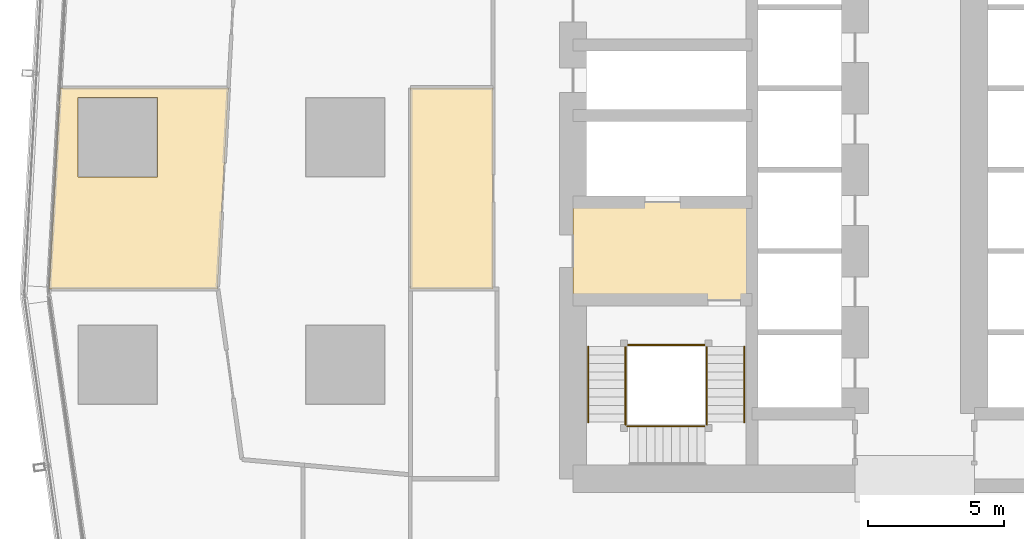
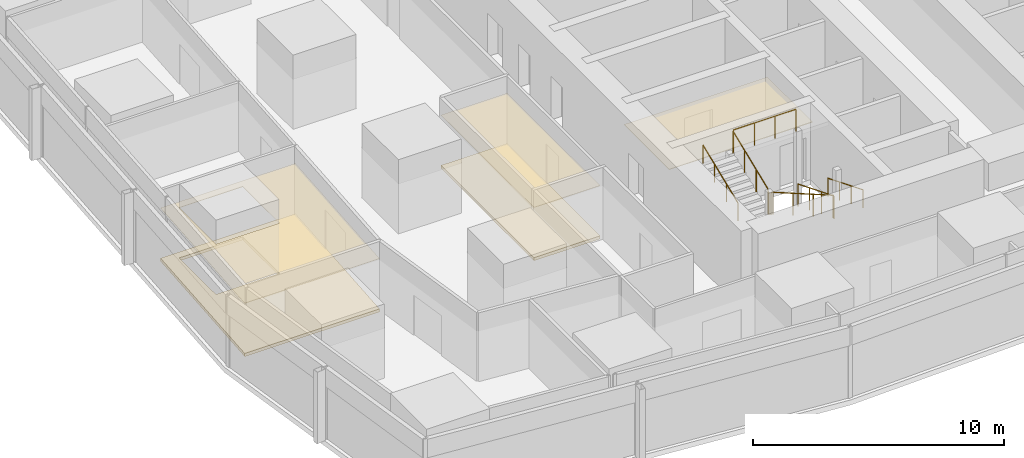
# One storey, part 34 of 40: 9 railings, 5 coverings.
"""IFC4 building model written with IfcOpenShell, lengths in metres."""

from ifc_helpers import new_model, si_unit, direction, frame, origin, origin_2d, place, context, subcontext, project, spatial, polyline, circle, outline, extrude, material, layer, layer_set, type_object, element, save


model = new_model("IFC4")

# Units and contexts
model_context = context("Model", 3, precision=1e-05, world=origin(), true_north=direction((0.0, 1.0)))
body_context = subcontext(model_context, "Body", "Model", "MODEL_VIEW")
ifc_project = project(units=[si_unit("LENGTHUNIT", "METRE"), si_unit("AREAUNIT", "SQUARE_METRE"), si_unit("VOLUMEUNIT", "CUBIC_METRE"), si_unit("PLANEANGLEUNIT", "RADIAN"), si_unit("MASSUNIT", "GRAM", prefix="KILO")], contexts=[model_context])

# Site, building, storey
site_placement = place(None, origin())
site = spatial("IfcSite", under=ifc_project, at=site_placement, CompositionType="ELEMENT")
building_placement = place(site_placement, origin())
building = spatial("IfcBuilding", under=site, at=building_placement, Name="Rekha Terrace Tower", CompositionType="ELEMENT")
storey_placement = place(building_placement, frame((0.0, 0.0, 95.300048828125)))
storey = spatial("IfcBuildingStorey", under=building, at=storey_placement, Name="L23", CompositionType="ELEMENT", Elevation=95.300048828125)

# Coverings
ifc_material_1 = material(Name="Mineral fibre tile in exposed grid", Category="finish")
ifc_layer_1 = layer(ifc_material_1, 0.02001953125)
ifc_layer_set_1 = layer_set([ifc_layer_1], Name="Mineral fibre tile in exposed grid")
covering_type_1 = type_object("IfcCoveringType", Name="CL1 600x1200 office grid ceiling", PredefinedType="CEILING", material=ifc_layer_set_1)
covering_1_placement = place(storey_placement, frame((0.0, 0.0, 2.579833984375)))
element("IfcCovering", 1, at=covering_1_placement, inside=storey, type_object=covering_type_1, Name="Ceiling L23-18", PredefinedType="CEILING", context=body_context, shape_type="SweptSolid", body=[
    extrude(outline(polyline([(5.8740234375, 28.0), (12.083984375, 28.0), (12.489990234375, 35.4189453125), (6.281005859375, 35.4189453125), (5.8740234375, 28.0)]), holes=[polyline([(9.864990234375, 32.135009765625), (6.93505859375, 32.135009765625), (6.93505859375, 35.06494140625), (9.864990234375, 35.06494140625), (9.864990234375, 32.135009765625)])]), origin(), (0.0, 0.0, 1.0), 0.02001953125),
])
covering_2_placement = place(storey_placement, frame((0.0, 0.0, 2.579833984375)))
element("IfcCovering", 2, at=covering_2_placement, inside=storey, type_object=covering_type_1, Name="Ceiling L23-23", PredefinedType="CEILING", context=body_context, shape_type="SweptSolid", body=[
    extrude(outline(polyline([(19.199951171875, 35.4208984375), (19.199951171875, 28.0), (22.25, 28.0), (22.25, 35.4208984375), (19.199951171875, 35.4208984375)])), origin(), (0.0, 0.0, 1.0), 0.02001953125),
])
ifc_material_2 = material(Name="Powder-coated aluminium pan", Category="aluminium")
ifc_layer_2 = layer(ifc_material_2, 0.030029296875)
ifc_layer_set_2 = layer_set([ifc_layer_2], Name="Powder-coated aluminium pan")
covering_type_2 = type_object("IfcCoveringType", Name="CL3 300x1200 metal pan ceiling", PredefinedType="CEILING", material=ifc_layer_set_2)
covering_3_placement = place(storey_placement, frame((0.0, 0.0, 2.570068359375)))
element("IfcCovering", 3, at=covering_3_placement, inside=storey, type_object=covering_type_2, Name="Ceiling L23-FLB1", PredefinedType="CEILING", context=body_context, shape_type="SweptSolid", body=[
    extrude(outline(polyline([(31.800048828125, 31.199951171875), (25.199951171875, 31.199951171875), (25.199951171875, 27.60009765625), (31.800048828125, 27.60009765625), (31.800048828125, 31.199951171875)])), origin(), (0.0, 0.0, 1.0), 0.02978515625),
])

# Railings
ifc_material_3 = material(Name="Stainless steel balustrade", Category="steel")
railing_type_1 = type_object("IfcRailingType", Name="GR1 1100 stair guard", PredefinedType="GUARDRAIL", material=ifc_material_3)
railing_1_placement = place(storey_placement, frame((30.135009765625, 25.875, 0.125)))
element("IfcRailing", 4, at=railing_1_placement, inside=storey, type_object=railing_type_1, Name="Guard ST1 L23 flight 1", PredefinedType="GUARDRAIL", context=body_context, shape_type="SweptSolid", body=[
    extrude(circle(Radius=0.02392578125, at=origin_2d()), frame((0.0, 0.0, 1.076171875), z_axis=(0.0, -0.927443287984, 0.373963831907), x_axis=(1.0, 0.0, 0.0)), (0.0, 0.0, 1.0), 3.00830078125),
    extrude(circle(Radius=0.02099609375, at=origin_2d()), origin(), (0.0, 0.0, 1.0), 1.052001953125),
    extrude(circle(Radius=0.02099609375, at=origin_2d()), frame((0.0, -0.929931640625, 0.375)), (0.0, 0.0, 1.0), 1.052001953125),
    extrude(circle(Radius=0.02099609375, at=origin_2d()), frame((0.0, -1.860107421875, 0.75)), (0.0, 0.0, 1.0), 1.052001953125),
    extrude(circle(Radius=0.02099609375, at=origin_2d()), frame((0.0, -2.7900390625, 1.125)), (0.0, 0.0, 1.0), 1.052001953125),
])
railing_2_placement = place(storey_placement, frame((30.074951171875, 22.93994140625, 1.375)))
element("IfcRailing", 5, at=railing_2_placement, inside=storey, type_object=railing_type_1, Name="Guard ST1 L23 flight 2", PredefinedType="GUARDRAIL", context=body_context, shape_type="SweptSolid", body=[
    extrude(circle(Radius=0.02392578125, at=origin_2d()), frame((0.0, 0.0, 1.076171875), z_axis=(-0.927443287984, 0.0, 0.373963831907), x_axis=(0.0, -1.0, 0.0)), (0.0, 0.0, 1.0), 3.00830078125),
    extrude(circle(Radius=0.02099609375, at=origin_2d()), origin(), (0.0, 0.0, 1.0), 1.052001953125),
    extrude(circle(Radius=0.02099609375, at=origin_2d()), frame((-0.929931640625, 0.0, 0.375)), (0.0, 0.0, 1.0), 1.052001953125),
    extrude(circle(Radius=0.02099609375, at=origin_2d()), frame((-1.860107421875, 0.0, 0.75)), (0.0, 0.0, 1.0), 1.052001953125),
    extrude(circle(Radius=0.02099609375, at=origin_2d()), frame((-2.7900390625, 0.0, 1.125)), (0.0, 0.0, 1.0), 1.052001953125),
])
railing_3_placement = place(storey_placement, frame((27.139892578125, 23.0849609375, 2.625)))
element("IfcRailing", 6, at=railing_3_placement, inside=storey, type_object=railing_type_1, Name="Guard ST1 L23 flight 3", PredefinedType="GUARDRAIL", context=body_context, shape_type="SweptSolid", body=[
    extrude(circle(Radius=0.02392578125, at=origin_2d()), frame((0.0, 0.0, 1.076171875), z_axis=(0.0, 0.927443287984, 0.373963831907), x_axis=(-1.0, 0.0, 0.0)), (0.0, 0.0, 1.0), 3.00830078125),
    extrude(circle(Radius=0.02099609375, at=origin_2d()), origin(), (0.0, 0.0, 1.0), 1.052001953125),
    extrude(circle(Radius=0.02099609375, at=origin_2d()), frame((0.0, 0.929931640625, 0.375)), (0.0, 0.0, 1.0), 1.052001953125),
    extrude(circle(Radius=0.02099609375, at=origin_2d()), frame((0.0, 1.860107421875, 0.75)), (0.0, 0.0, 1.0), 1.052001953125),
    extrude(circle(Radius=0.02099609375, at=origin_2d()), frame((0.0, 2.7900390625, 1.125)), (0.0, 0.0, 1.0), 1.052001953125),
])
railing_4_placement = place(storey_placement, frame((30.135009765625, 23.0849609375, 1.25)))
element("IfcRailing", 7, at=railing_4_placement, inside=storey, type_object=railing_type_1, Name="Guard ST1 L23 landing 1", PredefinedType="GUARDRAIL", context=body_context, shape_type="SweptSolid", body=[
    extrude(circle(Radius=0.02392578125, at=origin_2d()), frame((0.0, 0.0, 1.076171875), z_axis=(0.0, -1.0, 0.0), x_axis=(1.0, 0.0, 0.0)), (0.0, 0.0, 1.0), 0.0849609375),
    extrude(circle(Radius=0.02099609375, at=origin_2d()), origin(), (0.0, 0.0, 1.0), 1.052001953125),
    extrude(circle(Radius=0.02099609375, at=origin_2d()), frame((0.0, -0.0849609375, 0.0)), (0.0, 0.0, 1.0), 1.052001953125),
])
railing_5_placement = place(storey_placement, frame((27.284912109375, 22.93994140625, 2.5)))
element("IfcRailing", 8, at=railing_5_placement, inside=storey, type_object=railing_type_1, Name="Guard ST1 L23 landing 2", PredefinedType="GUARDRAIL", context=body_context, shape_type="SweptSolid", body=[
    extrude(circle(Radius=0.02392578125, at=origin_2d()), frame((0.0, 0.0, 1.076171875), z_axis=(-1.0, 0.0, 0.0), x_axis=(0.0, -1.0, 0.0)), (0.0, 0.0, 1.0), 0.0849609375),
    extrude(circle(Radius=0.02099609375, at=origin_2d()), origin(), (0.0, 0.0, 1.0), 1.052001953125),
    extrude(circle(Radius=0.02099609375, at=origin_2d()), frame((-0.0849609375, 0.0, 0.0)), (0.0, 0.0, 1.0), 1.052001953125),
])
railing_6_placement = place(storey_placement, frame((27.139892578125, 23.0849609375, 2.5)))
element("IfcRailing", 9, at=railing_6_placement, inside=storey, type_object=railing_type_1, Name="Guard ST1 L23 landing 3", PredefinedType="GUARDRAIL", context=body_context, shape_type="SweptSolid", body=[
    extrude(circle(Radius=0.02392578125, at=origin_2d()), frame((0.0, 0.0, 1.076171875), z_axis=(0.0, -1.0, 0.0), x_axis=(1.0, 0.0, 0.0)), (0.0, 0.0, 1.0), 0.0849609375),
    extrude(circle(Radius=0.02099609375, at=origin_2d()), origin(), (0.0, 0.0, 1.0), 1.052001953125),
    extrude(circle(Radius=0.02099609375, at=origin_2d()), frame((0.0, -0.0849609375, 0.0)), (0.0, 0.0, 1.0), 1.052001953125),
])
railing_7_placement = place(storey_placement, frame((30.074951171875, 25.93505859375, 3.75)))
element("IfcRailing", 10, at=railing_7_placement, inside=storey, type_object=railing_type_1, Name="Guard ST1 L23 landing 4", PredefinedType="GUARDRAIL", context=body_context, shape_type="SweptSolid", body=[
    extrude(circle(Radius=0.02392578125, at=origin_2d()), frame((0.0, 0.0, 1.076171875), z_axis=(-1.0, 0.0, 0.0), x_axis=(0.0, -1.0, 0.0)), (0.0, 0.0, 1.0), 2.875),
    extrude(circle(Radius=0.02099609375, at=origin_2d()), origin(), (0.0, 0.0, 1.0), 1.052001953125),
    extrude(circle(Radius=0.02099609375, at=origin_2d()), frame((-0.958251953125, 0.0, 0.0)), (0.0, 0.0, 1.0), 1.052001953125),
    extrude(circle(Radius=0.02099609375, at=origin_2d()), frame((-1.916748046875, 0.0, 0.0)), (0.0, 0.0, 1.0), 1.052001953125),
    extrude(circle(Radius=0.02099609375, at=origin_2d()), frame((-2.875, 0.0, 0.0)), (0.0, 0.0, 1.0), 1.052001953125),
])
ifc_material_4 = material(Name="Stainless steel tube", Category="steel")
railing_type_2 = type_object("IfcRailingType", Name="HR1 900 stair handrail", PredefinedType="HANDRAIL", material=ifc_material_4)
railing_8_placement = place(storey_placement, frame((31.514892578125, 25.875, 0.125)))
element("IfcRailing", 11, at=railing_8_placement, inside=storey, type_object=railing_type_2, Name="Handrail ST1 L23 flight 1", PredefinedType="HANDRAIL", context=body_context, shape_type="SweptSolid", body=[
    extrude(circle(Radius=0.02392578125, at=origin_2d()), frame((0.0, 0.0, 0.8759765625), z_axis=(0.0, -0.927443287984, 0.373963831907), x_axis=(1.0, 0.0, 0.0)), (0.0, 0.0, 1.0), 3.00830078125),
    extrude(circle(Radius=0.02099609375, at=origin_2d()), origin(), (0.0, 0.0, 1.0), 0.851806640625),
    extrude(circle(Radius=0.02099609375, at=origin_2d()), frame((0.0, -0.929931640625, 0.375)), (0.0, 0.0, 1.0), 0.851806640625),
    extrude(circle(Radius=0.02099609375, at=origin_2d()), frame((0.0, -1.860107421875, 0.75)), (0.0, 0.0, 1.0), 0.851806640625),
    extrude(circle(Radius=0.02099609375, at=origin_2d()), frame((0.0, -2.7900390625, 1.125)), (0.0, 0.0, 1.0), 0.851806640625),
])
railing_9_placement = place(storey_placement, frame((25.760009765625, 23.0849609375, 2.625)))
element("IfcRailing", 12, at=railing_9_placement, inside=storey, type_object=railing_type_2, Name="Handrail ST1 L23 flight 3", PredefinedType="HANDRAIL", context=body_context, shape_type="SweptSolid", body=[
    extrude(circle(Radius=0.02392578125, at=origin_2d()), frame((0.0, 0.0, 0.8759765625), z_axis=(0.0, 0.927443287984, 0.373963831907), x_axis=(-1.0, 0.0, 0.0)), (0.0, 0.0, 1.0), 3.00830078125),
    extrude(circle(Radius=0.02099609375, at=origin_2d()), origin(), (0.0, 0.0, 1.0), 0.851806640625),
    extrude(circle(Radius=0.02099609375, at=origin_2d()), frame((0.0, 0.929931640625, 0.375)), (0.0, 0.0, 1.0), 0.851806640625),
    extrude(circle(Radius=0.02099609375, at=origin_2d()), frame((0.0, 1.860107421875, 0.75)), (0.0, 0.0, 1.0), 0.851806640625),
    extrude(circle(Radius=0.02099609375, at=origin_2d()), frame((0.0, 2.7900390625, 1.125)), (0.0, 0.0, 1.0), 0.851806640625),
])

# Coverings
ifc_material_5 = material(Name="Calcium sulphate panels on steel pedestals", Category="steel")
ifc_layer_3 = layer(ifc_material_5, 0.14990234375)
ifc_layer_set_3 = layer_set([ifc_layer_3], Name="Calcium sulphate panels on steel pedestals")
covering_type_3 = type_object("IfcCoveringType", Name="RF1 150 raised access floor", PredefinedType="FLOORING", material=ifc_layer_set_3)
covering_4_placement = place(storey_placement, origin())
element("IfcCovering", 13, at=covering_4_placement, inside=storey, type_object=covering_type_3, Name="Raised floor L23-18", PredefinedType="FLOORING", context=body_context, shape_type="SweptSolid", body=[
    extrude(outline(polyline([(5.8740234375, 28.0), (12.083984375, 28.0), (12.489990234375, 35.4189453125), (6.281005859375, 35.4189453125), (5.8740234375, 28.0)]), holes=[polyline([(9.864990234375, 32.135009765625), (6.93505859375, 32.135009765625), (6.93505859375, 35.06494140625), (9.864990234375, 35.06494140625), (9.864990234375, 32.135009765625)])]), origin(), (0.0, 0.0, 1.0), 0.14990234375),
])
covering_5_placement = place(storey_placement, origin())
element("IfcCovering", 14, at=covering_5_placement, inside=storey, type_object=covering_type_3, Name="Raised floor L23-23", PredefinedType="FLOORING", context=body_context, shape_type="SweptSolid", body=[
    extrude(outline(polyline([(19.199951171875, 35.4208984375), (19.199951171875, 28.0), (22.25, 28.0), (22.25, 35.4208984375), (19.199951171875, 35.4208984375)])), origin(), (0.0, 0.0, 1.0), 0.14990234375),
])

save(model, "model.ifc")
